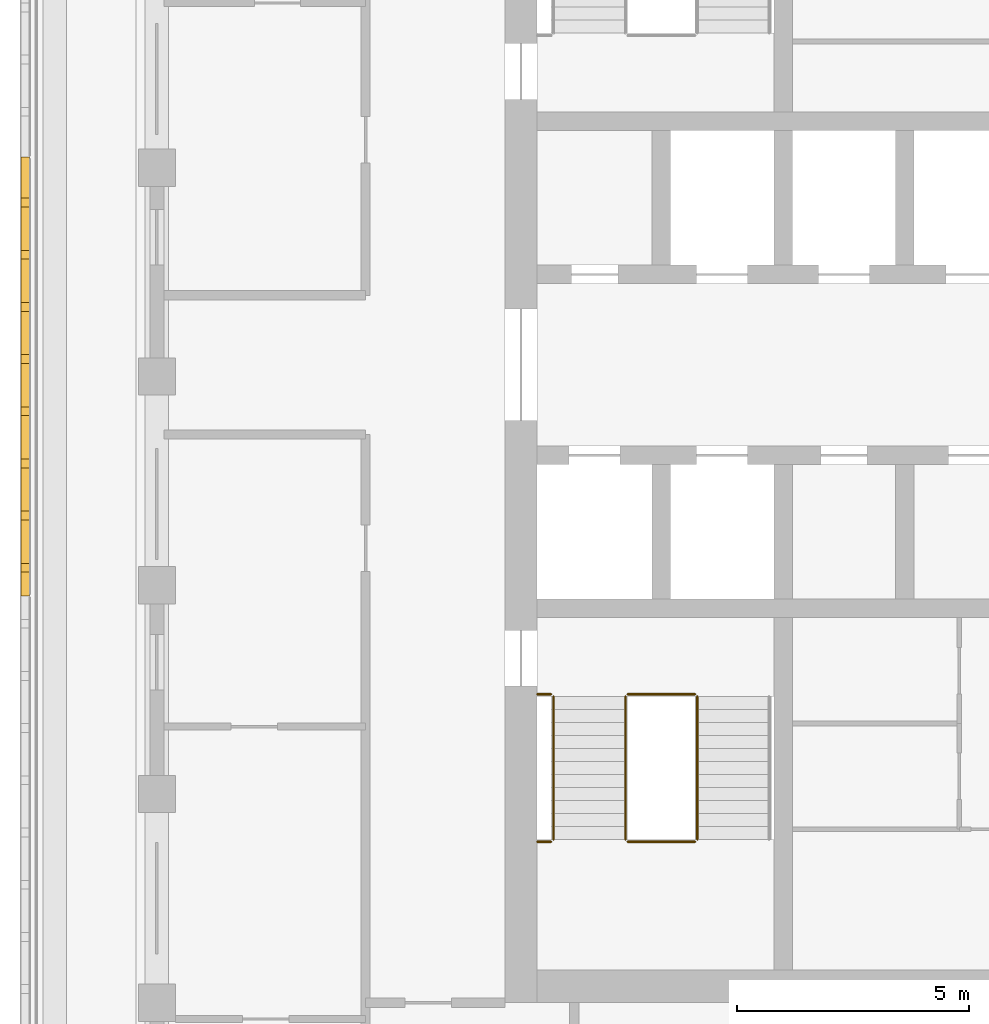
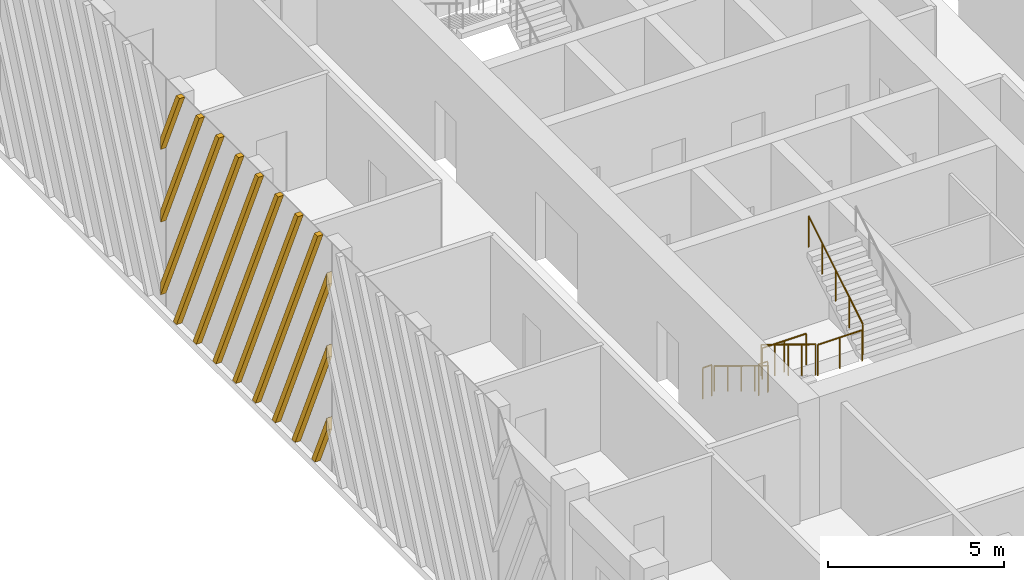
# One storey, part 10 of 17: 7 railings, 1 shading device.
"""IFC4 building model written with IfcOpenShell, lengths in metres."""

from ifc_helpers import new_model, si_unit, direction, frame, origin, origin_2d, place, context, subcontext, project, spatial, polyline, circle, outline, extrude, source, transform, mapped, material, type_object, element, save


model = new_model("IFC4")

# Units and contexts
model_context = context("Model", 3, precision=1e-05, world=origin(), true_north=direction((0.0, 1.0)))
body_context = subcontext(model_context, "Body", "Model", "MODEL_VIEW")
ifc_project = project(units=[si_unit("LENGTHUNIT", "METRE"), si_unit("AREAUNIT", "SQUARE_METRE"), si_unit("VOLUMEUNIT", "CUBIC_METRE"), si_unit("PLANEANGLEUNIT", "RADIAN"), si_unit("MASSUNIT", "GRAM", prefix="KILO")], contexts=[model_context])

# Site, building, storey
site_placement = place(None, origin())
site = spatial("IfcSite", under=ifc_project, at=site_placement, CompositionType="ELEMENT")
building_placement = place(site_placement, origin())
building = spatial("IfcBuilding", under=site, at=building_placement, Name="Corbel Stack Research Tower", CompositionType="ELEMENT")
storey_placement = place(building_placement, frame((0.0, 0.0, 231.60009765625)))
storey = spatial("IfcBuildingStorey", under=building, at=storey_placement, Name="L52", CompositionType="ELEMENT", Elevation=231.60009765625)

# Railings
ifc_material_1 = material(Name="Steel S355", Category="steel")
railing_type_1 = type_object("IfcRailingType", Name="Stair guard 1100", PredefinedType="GUARDRAIL", material=ifc_material_1)
railing_1_placement = place(storey_placement, frame((-7.89990234375, -2.39990234375, 0.170654296875)))
element("IfcRailing", 1, at=railing_1_placement, inside=storey, type_object=railing_type_1, Name="L52 ST-W1 stair guard 1", PredefinedType="GUARDRAIL", context=body_context, shape_type="SweptSolid", body=[
    extrude(circle(Radius=0.02392578125, at=origin_2d()), frame((0.0, 0.0, 1.076171875), z_axis=(0.0, -0.853666305674, 0.52082035152), x_axis=(1.0, 0.0, 0.0)), (0.0, 0.0, 1.0), 3.608154296875),
    extrude(circle(Radius=0.02099609375, at=origin_2d()), origin(), (0.0, 0.0, 1.0), 1.052001953125),
    extrude(circle(Radius=0.02099609375, at=origin_2d()), frame((0.0, -0.77001953125, 0.4697265625)), (0.0, 0.0, 1.0), 1.052001953125),
    extrude(circle(Radius=0.02099609375, at=origin_2d()), frame((0.0, -1.5400390625, 0.939453125)), (0.0, 0.0, 1.0), 1.052001953125),
    extrude(circle(Radius=0.02099609375, at=origin_2d()), frame((0.0, -2.31005859375, 1.409423828125)), (0.0, 0.0, 1.0), 1.052001953125),
    extrude(circle(Radius=0.02099609375, at=origin_2d()), frame((0.0, -3.080078125, 1.879150390625)), (0.0, 0.0, 1.0), 1.052001953125),
])
railing_2_placement = place(storey_placement, frame((-7.85009765625, -5.530029296875, 2.0498046875)))
element("IfcRailing", 2, at=railing_2_placement, inside=storey, type_object=railing_type_1, Name="L52 ST-W1 stair guard 2", PredefinedType="GUARDRAIL", context=body_context, shape_type="SweptSolid", body=[
    extrude(circle(Radius=0.02392578125, at=origin_2d()), frame((0.0, 0.0, 1.076171875), z_axis=(1.0, 0.0, 0.0), x_axis=(0.0, 1.0, 0.0)), (0.0, 0.0, 1.0), 1.4501953125),
    extrude(circle(Radius=0.02099609375, at=origin_2d()), origin(), (0.0, 0.0, 1.0), 1.052001953125),
    extrude(circle(Radius=0.02099609375, at=origin_2d()), frame((0.72509765625, 0.0, 0.0)), (0.0, 0.0, 1.0), 1.052001953125),
    extrude(circle(Radius=0.02099609375, at=origin_2d()), frame((1.4501953125, 0.0, 0.0)), (0.0, 0.0, 1.0), 1.052001953125),
])
railing_3_placement = place(storey_placement, frame((-9.800048828125, -5.530029296875, 2.0498046875)))
element("IfcRailing", 3, at=railing_3_placement, inside=storey, type_object=railing_type_1, Name="L52 ST-W1 stair guard 3", PredefinedType="GUARDRAIL", context=body_context, shape_type="SweptSolid", body=[
    extrude(circle(Radius=0.02392578125, at=origin_2d()), frame((0.0, 0.0, 1.076171875), z_axis=(1.0, 0.0, 0.0), x_axis=(0.0, 1.0, 0.0)), (0.0, 0.0, 1.0), 0.300048828125),
    extrude(circle(Radius=0.02099609375, at=origin_2d()), origin(), (0.0, 0.0, 1.0), 1.052001953125),
    extrude(circle(Radius=0.02099609375, at=origin_2d()), frame((0.300048828125, 0.0, 0.0)), (0.0, 0.0, 1.0), 1.052001953125),
])
railing_4_placement = place(storey_placement, frame((-6.35009765625, -5.47998046875, 2.220703125)))
element("IfcRailing", 4, at=railing_4_placement, inside=storey, type_object=railing_type_1, Name="L52 ST-W1 stair guard 4", PredefinedType="GUARDRAIL", context=body_context, shape_type="SweptSolid", body=[
    extrude(circle(Radius=0.02392578125, at=origin_2d()), frame((0.0, 0.0, 1.076171875), z_axis=(0.0, 0.853666305674, 0.52082035152), x_axis=(-1.0, 0.0, 0.0)), (0.0, 0.0, 1.0), 3.608154296875),
    extrude(circle(Radius=0.02099609375, at=origin_2d()), origin(), (0.0, 0.0, 1.0), 1.052001953125),
    extrude(circle(Radius=0.02099609375, at=origin_2d()), frame((0.0, 0.77001953125, 0.4697265625)), (0.0, 0.0, 1.0), 1.052001953125),
    extrude(circle(Radius=0.02099609375, at=origin_2d()), frame((0.0, 1.5400390625, 0.939453125)), (0.0, 0.0, 1.0), 1.052001953125),
    extrude(circle(Radius=0.02099609375, at=origin_2d()), frame((0.0, 2.31005859375, 1.409423828125)), (0.0, 0.0, 1.0), 1.052001953125),
    extrude(circle(Radius=0.02099609375, at=origin_2d()), frame((0.0, 3.080078125, 1.879150390625)), (0.0, 0.0, 1.0), 1.052001953125),
])
railing_5_placement = place(storey_placement, frame((-7.85009765625, -2.35009765625, 0.0)))
element("IfcRailing", 5, at=railing_5_placement, inside=storey, type_object=railing_type_1, Name="L52 ST-W1 stair guard 5", PredefinedType="GUARDRAIL", context=body_context, shape_type="SweptSolid", body=[
    extrude(circle(Radius=0.02392578125, at=origin_2d()), frame((0.0, 0.0, 1.076171875), z_axis=(1.0, 0.0, 0.0), x_axis=(0.0, 1.0, 0.0)), (0.0, 0.0, 1.0), 1.4501953125),
    extrude(circle(Radius=0.02099609375, at=origin_2d()), origin(), (0.0, 0.0, 1.0), 1.052001953125),
    extrude(circle(Radius=0.02099609375, at=origin_2d()), frame((0.72509765625, 0.0, 0.0)), (0.0, 0.0, 1.0), 1.052001953125),
    extrude(circle(Radius=0.02099609375, at=origin_2d()), frame((1.4501953125, 0.0, 0.0)), (0.0, 0.0, 1.0), 1.052001953125),
])
railing_6_placement = place(storey_placement, frame((-9.800048828125, -2.35009765625, 0.0)))
element("IfcRailing", 6, at=railing_6_placement, inside=storey, type_object=railing_type_1, Name="L52 ST-W1 stair guard 6", PredefinedType="GUARDRAIL", context=body_context, shape_type="SweptSolid", body=[
    extrude(circle(Radius=0.02392578125, at=origin_2d()), frame((0.0, 0.0, 1.076171875), z_axis=(1.0, 0.0, 0.0), x_axis=(0.0, 1.0, 0.0)), (0.0, 0.0, 1.0), 0.300048828125),
    extrude(circle(Radius=0.02099609375, at=origin_2d()), origin(), (0.0, 0.0, 1.0), 1.052001953125),
    extrude(circle(Radius=0.02099609375, at=origin_2d()), frame((0.300048828125, 0.0, 0.0)), (0.0, 0.0, 1.0), 1.052001953125),
])
ifc_material_2 = material(Name="Steel S355", Category="steel")
railing_type_2 = type_object("IfcRailingType", Name="Stair handrail 900", PredefinedType="HANDRAIL", material=ifc_material_2)
railing_7_placement = place(storey_placement, frame((-9.449951171875, -2.39990234375, 0.170654296875)))
element("IfcRailing", 7, at=railing_7_placement, inside=storey, type_object=railing_type_2, Name="L52 ST-W1 stair handrail 1", PredefinedType="HANDRAIL", context=body_context, shape_type="SweptSolid", body=[
    extrude(circle(Radius=0.02392578125, at=origin_2d()), frame((0.0, 0.0, 0.8759765625), z_axis=(0.0, -0.853666305674, 0.52082035152), x_axis=(1.0, 0.0, 0.0)), (0.0, 0.0, 1.0), 3.608154296875),
    extrude(circle(Radius=0.02099609375, at=origin_2d()), origin(), (0.0, 0.0, 1.0), 0.851806640625),
    extrude(circle(Radius=0.02099609375, at=origin_2d()), frame((0.0, -0.77001953125, 0.4697265625)), (0.0, 0.0, 1.0), 0.851806640625),
    extrude(circle(Radius=0.02099609375, at=origin_2d()), frame((0.0, -1.5400390625, 0.939453125)), (0.0, 0.0, 1.0), 0.851806640625),
    extrude(circle(Radius=0.02099609375, at=origin_2d()), frame((0.0, -2.31005859375, 1.409423828125)), (0.0, 0.0, 1.0), 0.851806640625),
    extrude(circle(Radius=0.02099609375, at=origin_2d()), frame((0.0, -3.080078125, 1.879150390625)), (0.0, 0.0, 1.0), 0.851806640625),
])

# Shading device
ifc_material_3 = material(Name="Precast terracotta", Category="masonry")
shading_device_type = type_object("IfcShadingDeviceType", Name="Terracotta screen panel", PredefinedType="USERDEFINED", material=ifc_material_3)
shared_shape = source(origin(), body_context, "Body", "SweptSolid", [
    extrude(outline(polyline([(1.072998046875, 7.949951171875), (0.883056640625, 7.949951171875), (0.0, 5.966552734375), (0.0, 5.539794921875), (1.072998046875, 7.949951171875)])), frame((0.0, 0.0, 0.0), z_axis=(0.0, -1.0, 0.0), x_axis=(1.0, 0.0, 0.0)), (0.0, 0.0, 1.0), 0.179931640625),
    extrude(outline(polyline([(2.197998046875, 7.949951171875), (2.008056640625, 7.949951171875), (0.0, 3.439697265625), (0.0, 3.01318359375), (2.197998046875, 7.949951171875)])), frame((0.0, 0.0, 0.0), z_axis=(0.0, -1.0, 0.0), x_axis=(1.0, 0.0, 0.0)), (0.0, 0.0, 1.0), 0.179931640625),
    extrude(outline(polyline([(3.322998046875, 7.949951171875), (3.133056640625, 7.949951171875), (0.0, 0.9130859375), (0.0, 0.486328125), (3.322998046875, 7.949951171875)])), frame((0.0, 0.0, 0.0), z_axis=(0.0, -1.0, 0.0), x_axis=(1.0, 0.0, 0.0)), (0.0, 0.0, 1.0), 0.179931640625),
    extrude(outline(polyline([(0.908447265625, 0.0), (4.447998046875, 7.949951171875), (4.258056640625, 7.949951171875), (0.718505859375, 0.0), (0.908447265625, 0.0)])), frame((0.0, 0.0, 0.0), z_axis=(0.0, -1.0, 0.0), x_axis=(1.0, 0.0, 0.0)), (0.0, 0.0, 1.0), 0.179931640625),
    extrude(outline(polyline([(2.033447265625, 0.0), (5.572998046875, 7.949951171875), (5.383056640625, 7.949951171875), (1.843505859375, 0.0), (2.033447265625, 0.0)])), frame((0.0, 0.0, 0.0), z_axis=(0.0, -1.0, 0.0), x_axis=(1.0, 0.0, 0.0)), (0.0, 0.0, 1.0), 0.179931640625),
    extrude(outline(polyline([(3.158447265625, 0.0), (6.697998046875, 7.949951171875), (6.508056640625, 7.949951171875), (2.968505859375, 0.0), (3.158447265625, 0.0)])), frame((0.0, 0.0, 0.0), z_axis=(0.0, -1.0, 0.0), x_axis=(1.0, 0.0, 0.0)), (0.0, 0.0, 1.0), 0.179931640625),
    extrude(outline(polyline([(4.283447265625, 0.0), (7.822998046875, 7.949951171875), (7.633056640625, 7.949951171875), (4.093505859375, 0.0), (4.283447265625, 0.0)])), frame((0.0, 0.0, 0.0), z_axis=(0.0, -1.0, 0.0), x_axis=(1.0, 0.0, 0.0)), (0.0, 0.0, 1.0), 0.179931640625),
    extrude(outline(polyline([(5.408447265625, 0.0), (8.947998046875, 7.949951171875), (8.758056640625, 7.949951171875), (5.218505859375, 0.0), (5.408447265625, 0.0)])), frame((0.0, 0.0, 0.0), z_axis=(0.0, -1.0, 0.0), x_axis=(1.0, 0.0, 0.0)), (0.0, 0.0, 1.0), 0.179931640625),
    extrude(outline(polyline([(6.533447265625, 0.0), (9.45556640625, 6.563232421875), (9.45556640625, 6.989990234375), (6.343505859375, 0.0), (6.533447265625, 0.0)])), frame((0.0, 0.0, 0.0), z_axis=(0.0, -1.0, 0.0), x_axis=(1.0, 0.0, 0.0)), (0.0, 0.0, 1.0), 0.179931640625),
    extrude(outline(polyline([(7.658447265625, 0.0), (9.45556640625, 4.036376953125), (9.45556640625, 4.463134765625), (7.468505859375, 0.0), (7.658447265625, 0.0)])), frame((0.0, 0.0, 0.0), z_axis=(0.0, -1.0, 0.0), x_axis=(1.0, 0.0, 0.0)), (0.0, 0.0, 1.0), 0.179931640625),
    extrude(outline(polyline([(8.783447265625, 0.0), (9.45556640625, 1.509521484375), (9.45556640625, 1.936279296875), (8.593505859375, 0.0), (8.783447265625, 0.0)])), frame((0.0, 0.0, 0.0), z_axis=(0.0, -1.0, 0.0), x_axis=(1.0, 0.0, 0.0)), (0.0, 0.0, 1.0), 0.179931640625),
])
shading_device_placement = place(storey_placement, frame((-20.75, 9.227783203125, 0.0), z_axis=(0.0, 0.0, 1.0), x_axis=(0.0, -1.0, 0.0)))
element("IfcShadingDevice", 8, at=shading_device_placement, inside=storey, type_object=shading_device_type, Name="Terracotta screen L52 W3", ObjectType="SCREEN", PredefinedType="USERDEFINED", context=body_context, shape_type="MappedRepresentation", body=[
    mapped(shared_shape, transform((0.0, 0.0, 0.0))),
])

save(model, "model.ifc")
